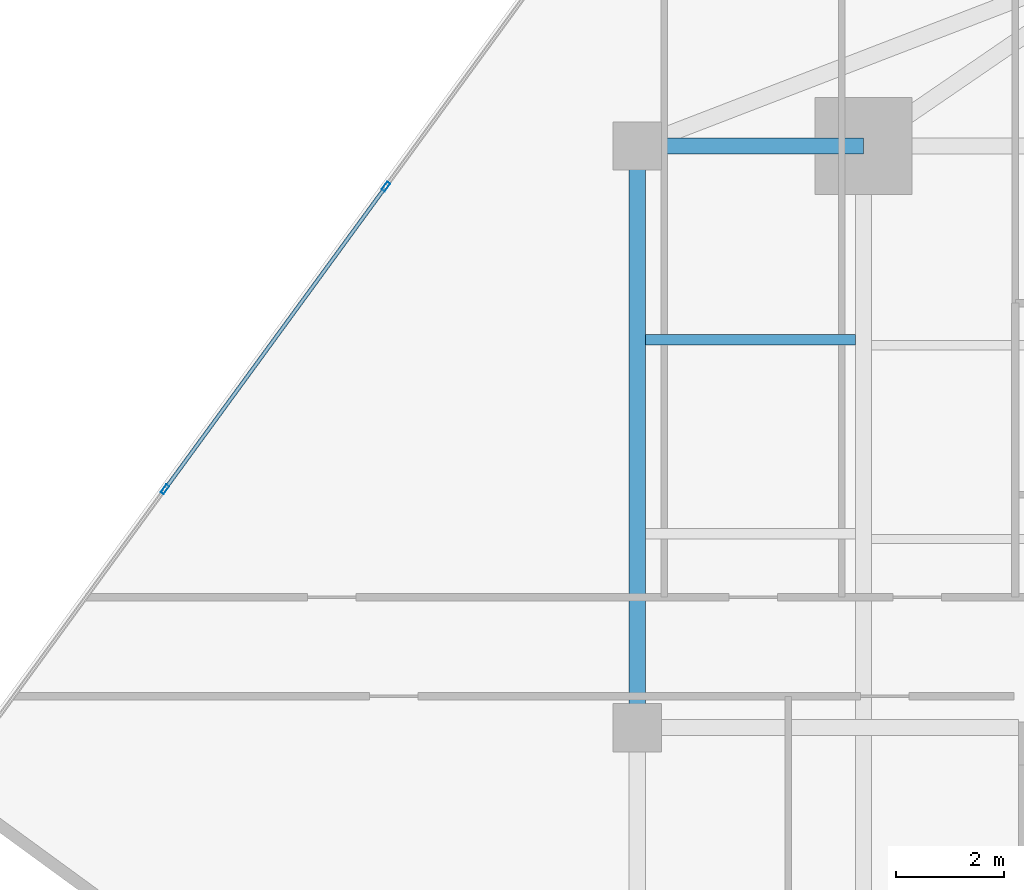
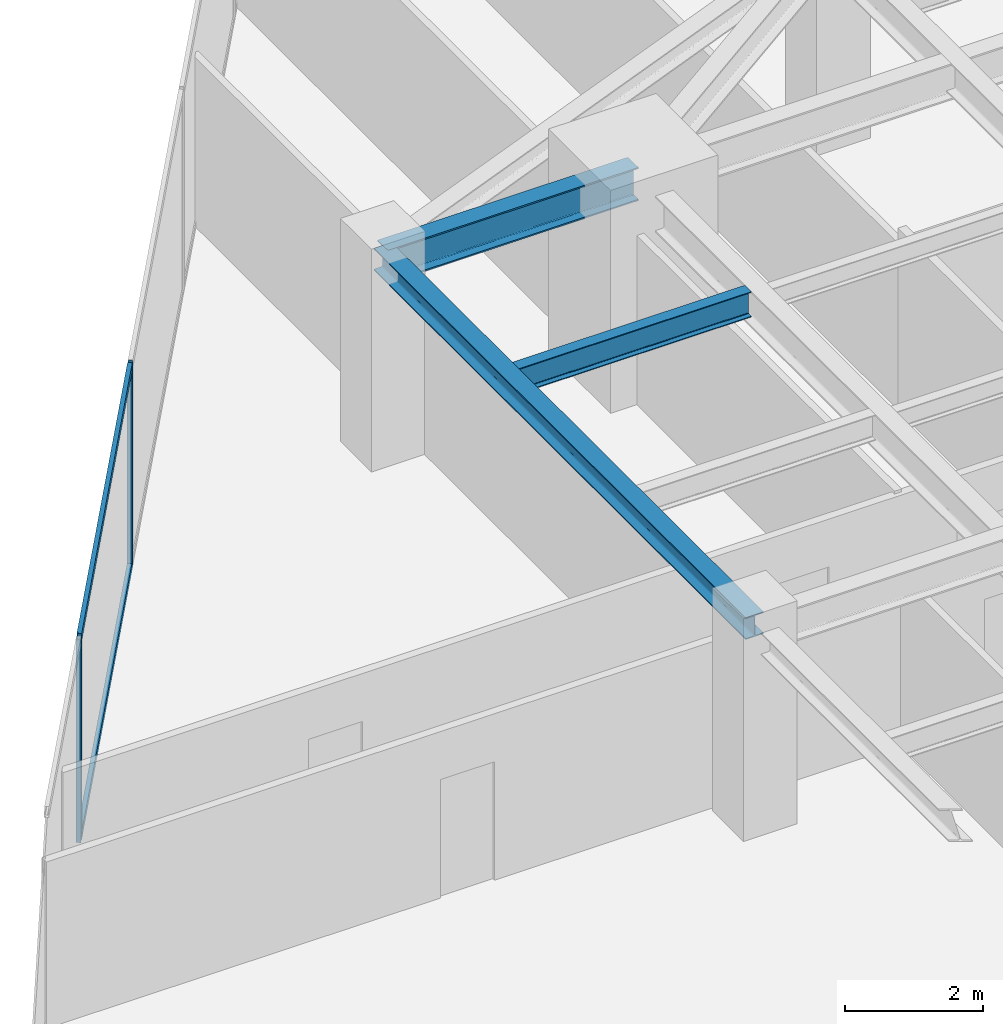
# One storey, part 12 of 25: 4 members, 3 beams, 1 element without a shape of its own.
"""IFC4 building model written with IfcOpenShell, lengths in metres."""

from ifc_helpers import new_model, si_unit, direction, frame, origin, origin_2d, place, context, subcontext, project, spatial, hollow_rectangle, i_section, extrude, source, transform, mapped, material, material_profile, profile_set, type_object, type_shapes, element, aggregate, save


model = new_model("IFC4")

# Units and contexts
model_context = context("Model", 3, precision=1e-05, world=origin(), true_north=direction((0.0, 1.0)))
body_context = subcontext(model_context, "Body", "Model", "MODEL_VIEW")
ifc_project = project(units=[si_unit("LENGTHUNIT", "METRE"), si_unit("AREAUNIT", "SQUARE_METRE"), si_unit("VOLUMEUNIT", "CUBIC_METRE"), si_unit("PLANEANGLEUNIT", "RADIAN"), si_unit("MASSUNIT", "GRAM", prefix="KILO")], contexts=[model_context])

# Site, building, storey
site_placement = place(None, origin())
site = spatial("IfcSite", under=ifc_project, at=site_placement, CompositionType="ELEMENT")
building_placement = place(site_placement, origin())
building = spatial("IfcBuilding", under=site, at=building_placement, Name="Krantzveldt Concourse Tower", CompositionType="ELEMENT")
storey_placement = place(building_placement, frame((0.0, 0.0, 197.550048828125)))
storey = spatial("IfcBuildingStorey", under=building, at=storey_placement, Name="L48", CompositionType="ELEMENT", Elevation=197.550048828125)

# Beams
ifc_material_1 = material(Name="Steel S355JR", Category="steel")
ifc_material_profile_1 = material_profile(ifc_material_1, i_section(OverallWidth=0.300048828125, OverallDepth=0.590087890625, WebThickness=0.012939453125, FlangeThickness=0.02490234375, FilletRadius=0.027099609375, at=origin_2d()), Name="Steel S355JR", Category="steel")
ifc_profile_set_1 = profile_set([ifc_material_profile_1], Name="Steel S355JR - HEA 600")
beam_type_1 = type_object("IfcBeamType", Name="BM-B-HEA600", PredefinedType="BEAM", material=ifc_profile_set_1)
shared_shape_1 = source(origin(), body_context, "Body", "SweptSolid", [
    extrude(i_section(OverallWidth=0.300048828125, OverallDepth=0.590087890625, WebThickness=0.012939453125, FlangeThickness=0.02490234375, FilletRadius=0.027099609375, at=origin_2d()), origin(), (0.0, 0.0, 1.0), 4.199951171875),
])
type_shapes(beam_type_1, [shared_shape_1])
beam_1_placement = place(storey_placement, frame((21.0, 37.5, 3.294921875), z_axis=(1.0, 0.0, 0.0), x_axis=(0.0, 1.0, 0.0)))
element("IfcBeam", 1, at=beam_1_placement, inside=storey, type_object=beam_type_1, Name="L48 Tower Girder BR-RL3", PredefinedType="BEAM", context=body_context, shape_type="MappedRepresentation", body=[
    mapped(shared_shape_1, transform((0.0, 0.0, 0.0), x_axis=(1.0, 0.0, 0.0), y_axis=(0.0, 1.0, 0.0), z_axis=(0.0, 0.0, 1.0), scale=1.0)),
])
ifc_material_profile_2 = material_profile(ifc_material_1, i_section(OverallWidth=0.300048828125, OverallDepth=0.389892578125, WebThickness=0.010986328125, FlangeThickness=0.01904296875, FilletRadius=0.027099609375, at=origin_2d()), Name="Steel S355JR", Category="steel")
ifc_profile_set_2 = profile_set([ifc_material_profile_2], Name="Steel S355JR - HEA 400")
beam_type_2 = type_object("IfcBeamType", Name="BM-SP-HEA400", PredefinedType="SPANDREL", material=ifc_profile_set_2)
shared_shape_2 = source(origin(), body_context, "Body", "SweptSolid", [
    extrude(i_section(OverallWidth=0.300048828125, OverallDepth=0.389892578125, WebThickness=0.010986328125, FlangeThickness=0.01904296875, FilletRadius=0.027099609375, at=origin_2d()), origin(), (0.0, 0.0, 1.0), 10.800048828125),
])
type_shapes(beam_type_2, [shared_shape_2])
beam_2_placement = place(storey_placement, frame((21.0, 26.699951171875, 3.39501953125), z_axis=(0.0, 1.0, 0.0), x_axis=(-1.0, 0.0, 0.0)))
element("IfcBeam", 2, at=beam_2_placement, inside=storey, type_object=beam_type_2, Name="L48 Tower Girder SP-R02", PredefinedType="SPANDREL", context=body_context, shape_type="MappedRepresentation", body=[
    mapped(shared_shape_2, transform((0.0, 0.0, 0.0), x_axis=(1.0, 0.0, 0.0), y_axis=(0.0, 1.0, 0.0), z_axis=(0.0, 0.0, 1.0), scale=1.0)),
])
ifc_material_profile_3 = material_profile(ifc_material_1, i_section(OverallWidth=0.18994140625, OverallDepth=0.449951171875, WebThickness=0.009521484375, FlangeThickness=0.0146484375, FilletRadius=0.02099609375, at=origin_2d()), Name="Steel S355JR", Category="steel")
ifc_profile_set_3 = profile_set([ifc_material_profile_3], Name="Steel S355JR - IPE 450")
beam_type_3 = type_object("IfcBeamType", Name="BM-J-IPE450", PredefinedType="JOIST", material=ifc_profile_set_3)
shared_shape_3 = source(origin(), body_context, "Body", "SweptSolid", [
    extrude(i_section(OverallWidth=0.18994140625, OverallDepth=0.449951171875, WebThickness=0.009521484375, FlangeThickness=0.0146484375, FilletRadius=0.02099609375, at=origin_2d()), origin(), (0.0, 0.0, 1.0), 3.900146484375),
])
type_shapes(beam_type_3, [shared_shape_3])
beam_3_placement = place(storey_placement, frame((21.14990234375, 33.89990234375, 3.364990234375), z_axis=(1.0, 0.0, 0.0), x_axis=(0.0, 1.0, 0.0)))
element("IfcBeam", 3, at=beam_3_placement, inside=storey, type_object=beam_type_3, Name="L48 Secondary Floor Joist JW-4", PredefinedType="JOIST", context=body_context, shape_type="MappedRepresentation", body=[
    mapped(shared_shape_3, transform((0.0, 0.0, 0.0), x_axis=(1.0, 0.0, 0.0), y_axis=(0.0, 1.0, 0.0), z_axis=(0.0, 0.0, 1.0), scale=1.0)),
])

# Curtain wall, members
ifc_material_2 = material(Name="Anodised aluminium 6063-T6", Category="aluminium")
curtain_wall_type = type_object("IfcCurtainWallType", Name="CW3", PredefinedType="USERDEFINED", material=ifc_material_2)
curtain_wall_placement = place(storey_placement, origin())
curtain_wall = element("IfcCurtainWall", 4, at=curtain_wall_placement, inside=storey, type_object=curtain_wall_type, Name="CW-L48-F01", ObjectType="UNITISED CURTAIN WALL", PredefinedType="USERDEFINED")
ifc_material_profile_4 = material_profile(ifc_material_2, hollow_rectangle(XDim=0.070068359375, YDim=0.179931640625, WallThickness=0.0048828125, at=origin_2d()), Name="Anodised aluminium 6063-T6", Category="aluminium")
ifc_profile_set_4 = profile_set([ifc_material_profile_4], Name="Anodised aluminium 6063-T6 - ALU-MULL 180x70x5")
member_type_1 = type_object("IfcMemberType", Name="CW-MUL-180", PredefinedType="MULLION", material=ifc_profile_set_4)
shared_shape_4 = source(origin(), body_context, "Body", "SweptSolid", [
    extrude(hollow_rectangle(XDim=0.070068359375, YDim=0.179931640625, WallThickness=0.0048828125, at=origin_2d()), origin(), (0.0, 0.0, 1.0), 3.58984375),
])
type_shapes(member_type_1, [shared_shape_4])
member_1_placement = place(storey_placement, frame((16.331787109375, 36.7470703125, 0.0), z_axis=(0.0, 0.0, 1.0), x_axis=(0.807732735781, -0.589548833895, 0.0)))
member_1 = element("IfcMember", 5, at=member_1_placement, type_object=member_type_1, Name="CW-Z34 mullion 4", PredefinedType="MULLION", context=body_context, shape_type="MappedRepresentation", body=[
    mapped(shared_shape_4, transform((0.0, 0.0, 0.0), x_axis=(1.0, 0.0, 0.0), y_axis=(0.0, 1.0, 0.0), z_axis=(0.0, 0.0, 1.0), scale=1.0)),
])
member_2_placement = place(storey_placement, frame((12.228515625, 31.125244140625, 0.0), z_axis=(0.0, 0.0, 1.0), x_axis=(0.807732735781, -0.589548833895, 0.0)))
member_2 = element("IfcMember", 6, at=member_2_placement, type_object=member_type_1, Name="CW-Z34 mullion 5", PredefinedType="MULLION", context=body_context, shape_type="MappedRepresentation", body=[
    mapped(shared_shape_4, transform((0.0, 0.0, 0.0), x_axis=(1.0, 0.0, 0.0), y_axis=(0.0, 1.0, 0.0), z_axis=(0.0, 0.0, 1.0), scale=1.0)),
])
ifc_material_profile_5 = material_profile(ifc_material_2, hollow_rectangle(XDim=0.070068359375, YDim=0.139892578125, WallThickness=0.0048828125, at=origin_2d()), Name="Anodised aluminium 6063-T6", Category="aluminium")
ifc_profile_set_5 = profile_set([ifc_material_profile_5], Name="Anodised aluminium 6063-T6 - ALU-TRAN 140x70x5")
member_type_2 = type_object("IfcMemberType", Name="CW-TRN-150", PredefinedType="USERDEFINED", material=ifc_profile_set_5)
shared_shape_5 = source(origin(), body_context, "Body", "SweptSolid", [
    extrude(hollow_rectangle(XDim=0.070068359375, YDim=0.139892578125, WallThickness=0.0048828125, at=origin_2d()), origin(), (0.0, 0.0, 1.0), 6.89013671875),
])
type_shapes(member_type_2, [shared_shape_5])
member_3_placement = place(storey_placement, frame((16.31103515625, 36.718994140625, 0.034912109375), z_axis=(-0.589540306055, -0.807738960021, 0.0), x_axis=(0.807738960021, -0.589540306055, 0.0)))
member_3 = element("IfcMember", 7, at=member_3_placement, type_object=member_type_2, Name="CW-Z34 transom 4.1", ObjectType="TRANSOM", PredefinedType="USERDEFINED", context=body_context, shape_type="MappedRepresentation", body=[
    mapped(shared_shape_5, transform((0.0, 0.0, 0.0), x_axis=(1.0, 0.0, 0.0), y_axis=(0.0, 1.0, 0.0), z_axis=(0.0, 0.0, 1.0), scale=1.0)),
])
member_4_placement = place(storey_placement, frame((16.31103515625, 36.718994140625, 3.554931640625), z_axis=(-0.589540306055, -0.807738960021, 0.0), x_axis=(0.807738960021, -0.589540306055, 0.0)))
member_4 = element("IfcMember", 8, at=member_4_placement, type_object=member_type_2, Name="CW-Z34 transom 4.2", ObjectType="TRANSOM", PredefinedType="USERDEFINED", context=body_context, shape_type="MappedRepresentation", body=[
    mapped(shared_shape_5, transform((0.0, 0.0, 0.0), x_axis=(1.0, 0.0, 0.0), y_axis=(0.0, 1.0, 0.0), z_axis=(0.0, 0.0, 1.0), scale=1.0)),
])
aggregate(curtain_wall, [member_1, member_2, member_3, member_4])

save(model, "model.ifc")
